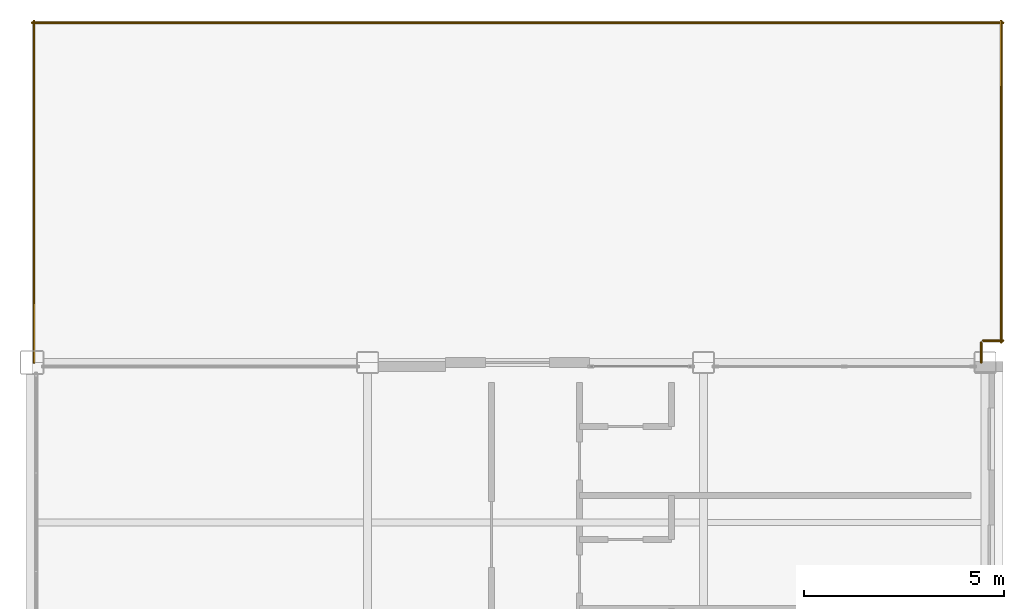
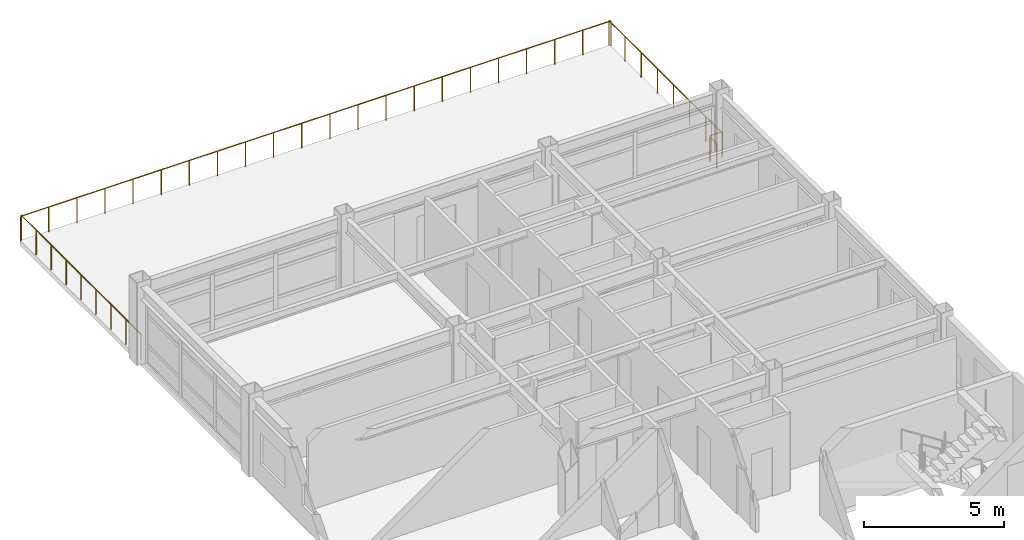
# One storey, part 36 of 36: 5 railings.
"""IFC4 building model written with IfcOpenShell, lengths in metres."""

from ifc_helpers import new_model, si_unit, direction, frame, origin, origin_2d, place, context, subcontext, project, spatial, circle, extrude, material, type_object, element, save


model = new_model("IFC4")

# Units and contexts
model_context = context("Model", 3, precision=1e-05, world=origin(), true_north=direction((0.0, 1.0)))
body_context = subcontext(model_context, "Body", "Model", "MODEL_VIEW")
ifc_project = project(units=[si_unit("LENGTHUNIT", "METRE"), si_unit("AREAUNIT", "SQUARE_METRE"), si_unit("VOLUMEUNIT", "CUBIC_METRE"), si_unit("PLANEANGLEUNIT", "RADIAN"), si_unit("MASSUNIT", "GRAM", prefix="KILO")], contexts=[model_context])

# Site, building, storey
site_placement = place(None, origin())
site = spatial("IfcSite", under=ifc_project, at=site_placement, CompositionType="ELEMENT")
building_placement = place(site_placement, origin())
building = spatial("IfcBuilding", under=site, at=building_placement, Name="Kazehara Bluff Congress Hotel", CompositionType="ELEMENT")
storey_placement = place(building_placement, frame((0.0, 0.0, 31.800048828125)))
storey = spatial("IfcBuildingStorey", under=building, at=storey_placement, Name="L07", CompositionType="ELEMENT", Elevation=31.800048828125)

# Railings
ifc_material = material(Name="Painted galvanised steel", Category="steel")
railing_type = type_object("IfcRailingType", Name="TP-GRD-EXT", PredefinedType="BALUSTRADE", material=ifc_material)
railing_1_placement = place(storey_placement, frame((167.449951171875, 96.89990234375, 0.0)))
element("IfcRailing", 1, at=railing_1_placement, inside=storey, type_object=railing_type, Name="North Bluff Sky Terrace edge guard 1", PredefinedType="BALUSTRADE", context=body_context, shape_type="SweptSolid", body=[
    extrude(circle(Radius=0.02392578125, at=origin_2d()), frame((0.0, 0.0, 1.076171875), z_axis=(0.0, 1.0, 0.0), x_axis=(-1.0, 0.0, 0.0)), (0.0, 0.0, 1.0), 0.5),
    extrude(circle(Radius=0.02099609375, at=origin_2d()), origin(), (0.0, 0.0, 1.0), 1.052001953125),
    extrude(circle(Radius=0.02099609375, at=origin_2d()), frame((0.0, 0.5, 0.0)), (0.0, 0.0, 1.0), 1.052001953125),
])
railing_2_placement = place(storey_placement, frame((167.5, 97.449951171875, 0.0)))
element("IfcRailing", 2, at=railing_2_placement, inside=storey, type_object=railing_type, Name="North Bluff Sky Terrace edge guard 2", PredefinedType="BALUSTRADE", context=body_context, shape_type="SweptSolid", body=[
    extrude(circle(Radius=0.02392578125, at=origin_2d()), frame((0.0, 0.0, 1.076171875), z_axis=(1.0, 0.0, 0.0), x_axis=(0.0, 1.0, 0.0)), (0.0, 0.0, 1.0), 0.5),
    extrude(circle(Radius=0.02099609375, at=origin_2d()), origin(), (0.0, 0.0, 1.0), 1.052001953125),
    extrude(circle(Radius=0.02099609375, at=origin_2d()), frame((0.5, 0.0, 0.0)), (0.0, 0.0, 1.0), 1.052001953125),
])
railing_3_placement = place(storey_placement, frame((167.949951171875, 97.39990234375, 0.0)))
element("IfcRailing", 3, at=railing_3_placement, inside=storey, type_object=railing_type, Name="North Bluff Sky Terrace edge guard 3", PredefinedType="BALUSTRADE", context=body_context, shape_type="SweptSolid", body=[
    extrude(circle(Radius=0.02392578125, at=origin_2d()), frame((0.0, 0.0, 1.076171875), z_axis=(0.0, 1.0, 0.0), x_axis=(-1.0, 0.0, 0.0)), (0.0, 0.0, 1.0), 8.050048828125),
    extrude(circle(Radius=0.02099609375, at=origin_2d()), origin(), (0.0, 0.0, 1.0), 1.052001953125),
    extrude(circle(Radius=0.02099609375, at=origin_2d()), frame((0.0, 1.14990234375, 0.0)), (0.0, 0.0, 1.0), 1.052001953125),
    extrude(circle(Radius=0.02099609375, at=origin_2d()), frame((0.0, 2.300048828125, 0.0)), (0.0, 0.0, 1.0), 1.052001953125),
    extrude(circle(Radius=0.02099609375, at=origin_2d()), frame((0.0, 3.449951171875, 0.0)), (0.0, 0.0, 1.0), 1.052001953125),
    extrude(circle(Radius=0.02099609375, at=origin_2d()), frame((0.0, 4.60009765625, 0.0)), (0.0, 0.0, 1.0), 1.052001953125),
    extrude(circle(Radius=0.02099609375, at=origin_2d()), frame((0.0, 5.75, 0.0)), (0.0, 0.0, 1.0), 1.052001953125),
    extrude(circle(Radius=0.02099609375, at=origin_2d()), frame((0.0, 6.900146484375, 0.0)), (0.0, 0.0, 1.0), 1.052001953125),
    extrude(circle(Radius=0.02099609375, at=origin_2d()), frame((0.0, 8.050048828125, 0.0)), (0.0, 0.0, 1.0), 1.052001953125),
])
railing_4_placement = place(storey_placement, frame((168.0, 105.39990234375, 0.0)))
element("IfcRailing", 4, at=railing_4_placement, inside=storey, type_object=railing_type, Name="North Bluff Sky Terrace edge guard 4", PredefinedType="BALUSTRADE", context=body_context, shape_type="SweptSolid", body=[
    extrude(circle(Radius=0.02392578125, at=origin_2d()), frame((0.0, 0.0, 1.076171875), z_axis=(-1.0, 0.0, 0.0), x_axis=(0.0, -1.0, 0.0)), (0.0, 0.0, 1.0), 24.300048828125),
    extrude(circle(Radius=0.02099609375, at=origin_2d()), origin(), (0.0, 0.0, 1.0), 1.052001953125),
    extrude(circle(Radius=0.02099609375, at=origin_2d()), frame((-1.1572265625, 0.0, 0.0)), (0.0, 0.0, 1.0), 1.052001953125),
    extrude(circle(Radius=0.02099609375, at=origin_2d()), frame((-2.314208984375, 0.0, 0.0)), (0.0, 0.0, 1.0), 1.052001953125),
    extrude(circle(Radius=0.02099609375, at=origin_2d()), frame((-3.471435546875, 0.0, 0.0)), (0.0, 0.0, 1.0), 1.052001953125),
    extrude(circle(Radius=0.02099609375, at=origin_2d()), frame((-4.628662109375, 0.0, 0.0)), (0.0, 0.0, 1.0), 1.052001953125),
    extrude(circle(Radius=0.02099609375, at=origin_2d()), frame((-5.78564453125, 0.0, 0.0)), (0.0, 0.0, 1.0), 1.052001953125),
    extrude(circle(Radius=0.02099609375, at=origin_2d()), frame((-6.94287109375, 0.0, 0.0)), (0.0, 0.0, 1.0), 1.052001953125),
    extrude(circle(Radius=0.02099609375, at=origin_2d()), frame((-8.10009765625, 0.0, 0.0)), (0.0, 0.0, 1.0), 1.052001953125),
    extrude(circle(Radius=0.02099609375, at=origin_2d()), frame((-9.257080078125, 0.0, 0.0)), (0.0, 0.0, 1.0), 1.052001953125),
    extrude(circle(Radius=0.02099609375, at=origin_2d()), frame((-10.414306640625, 0.0, 0.0)), (0.0, 0.0, 1.0), 1.052001953125),
    extrude(circle(Radius=0.02099609375, at=origin_2d()), frame((-11.571533203125, 0.0, 0.0)), (0.0, 0.0, 1.0), 1.052001953125),
    extrude(circle(Radius=0.02099609375, at=origin_2d()), frame((-12.728515625, 0.0, 0.0)), (0.0, 0.0, 1.0), 1.052001953125),
    extrude(circle(Radius=0.02099609375, at=origin_2d()), frame((-13.8857421875, 0.0, 0.0)), (0.0, 0.0, 1.0), 1.052001953125),
    extrude(circle(Radius=0.02099609375, at=origin_2d()), frame((-15.04296875, 0.0, 0.0)), (0.0, 0.0, 1.0), 1.052001953125),
    extrude(circle(Radius=0.02099609375, at=origin_2d()), frame((-16.199951171875, 0.0, 0.0)), (0.0, 0.0, 1.0), 1.052001953125),
    extrude(circle(Radius=0.02099609375, at=origin_2d()), frame((-17.357177734375, 0.0, 0.0)), (0.0, 0.0, 1.0), 1.052001953125),
    extrude(circle(Radius=0.02099609375, at=origin_2d()), frame((-18.514404296875, 0.0, 0.0)), (0.0, 0.0, 1.0), 1.052001953125),
    extrude(circle(Radius=0.02099609375, at=origin_2d()), frame((-19.67138671875, 0.0, 0.0)), (0.0, 0.0, 1.0), 1.052001953125),
    extrude(circle(Radius=0.02099609375, at=origin_2d()), frame((-20.82861328125, 0.0, 0.0)), (0.0, 0.0, 1.0), 1.052001953125),
    extrude(circle(Radius=0.02099609375, at=origin_2d()), frame((-21.98583984375, 0.0, 0.0)), (0.0, 0.0, 1.0), 1.052001953125),
    extrude(circle(Radius=0.02099609375, at=origin_2d()), frame((-23.142822265625, 0.0, 0.0)), (0.0, 0.0, 1.0), 1.052001953125),
    extrude(circle(Radius=0.02099609375, at=origin_2d()), frame((-24.300048828125, 0.0, 0.0)), (0.0, 0.0, 1.0), 1.052001953125),
])
railing_5_placement = place(storey_placement, frame((143.75, 105.449951171875, 0.0)))
element("IfcRailing", 5, at=railing_5_placement, inside=storey, type_object=railing_type, Name="North Bluff Sky Terrace edge guard 5", PredefinedType="BALUSTRADE", context=body_context, shape_type="SweptSolid", body=[
    extrude(circle(Radius=0.02392578125, at=origin_2d()), frame((0.0, 0.0, 1.076171875), z_axis=(0.0, -1.0, 0.0), x_axis=(1.0, 0.0, 0.0)), (0.0, 0.0, 1.0), 8.550048828125),
    extrude(circle(Radius=0.02099609375, at=origin_2d()), origin(), (0.0, 0.0, 1.0), 1.052001953125),
    extrude(circle(Radius=0.02099609375, at=origin_2d()), frame((0.0, -1.06884765625, 0.0)), (0.0, 0.0, 1.0), 1.052001953125),
    extrude(circle(Radius=0.02099609375, at=origin_2d()), frame((0.0, -2.137451171875, 0.0)), (0.0, 0.0, 1.0), 1.052001953125),
    extrude(circle(Radius=0.02099609375, at=origin_2d()), frame((0.0, -3.206298828125, 0.0)), (0.0, 0.0, 1.0), 1.052001953125),
    extrude(circle(Radius=0.02099609375, at=origin_2d()), frame((0.0, -4.27490234375, 0.0)), (0.0, 0.0, 1.0), 1.052001953125),
    extrude(circle(Radius=0.02099609375, at=origin_2d()), frame((0.0, -5.34375, 0.0)), (0.0, 0.0, 1.0), 1.052001953125),
    extrude(circle(Radius=0.02099609375, at=origin_2d()), frame((0.0, -6.41259765625, 0.0)), (0.0, 0.0, 1.0), 1.052001953125),
    extrude(circle(Radius=0.02099609375, at=origin_2d()), frame((0.0, -7.481201171875, 0.0)), (0.0, 0.0, 1.0), 1.052001953125),
    extrude(circle(Radius=0.02099609375, at=origin_2d()), frame((0.0, -8.550048828125, 0.0)), (0.0, 0.0, 1.0), 1.052001953125),
])

save(model, "model.ifc")
